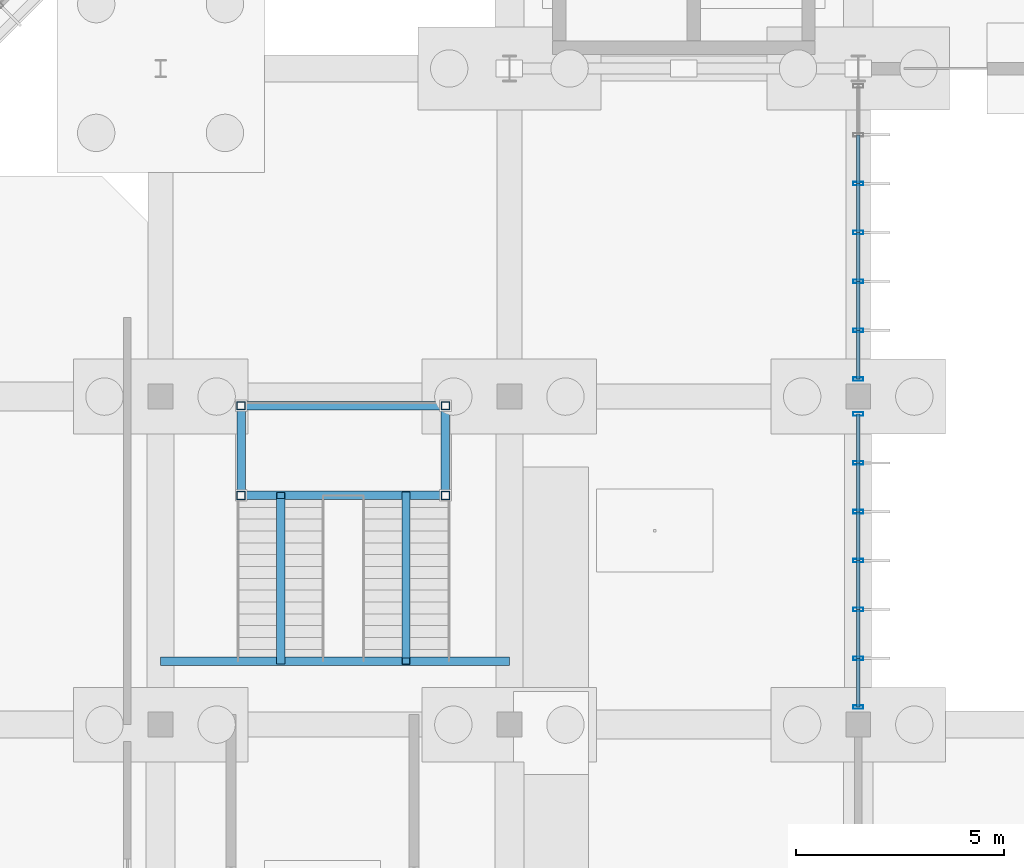
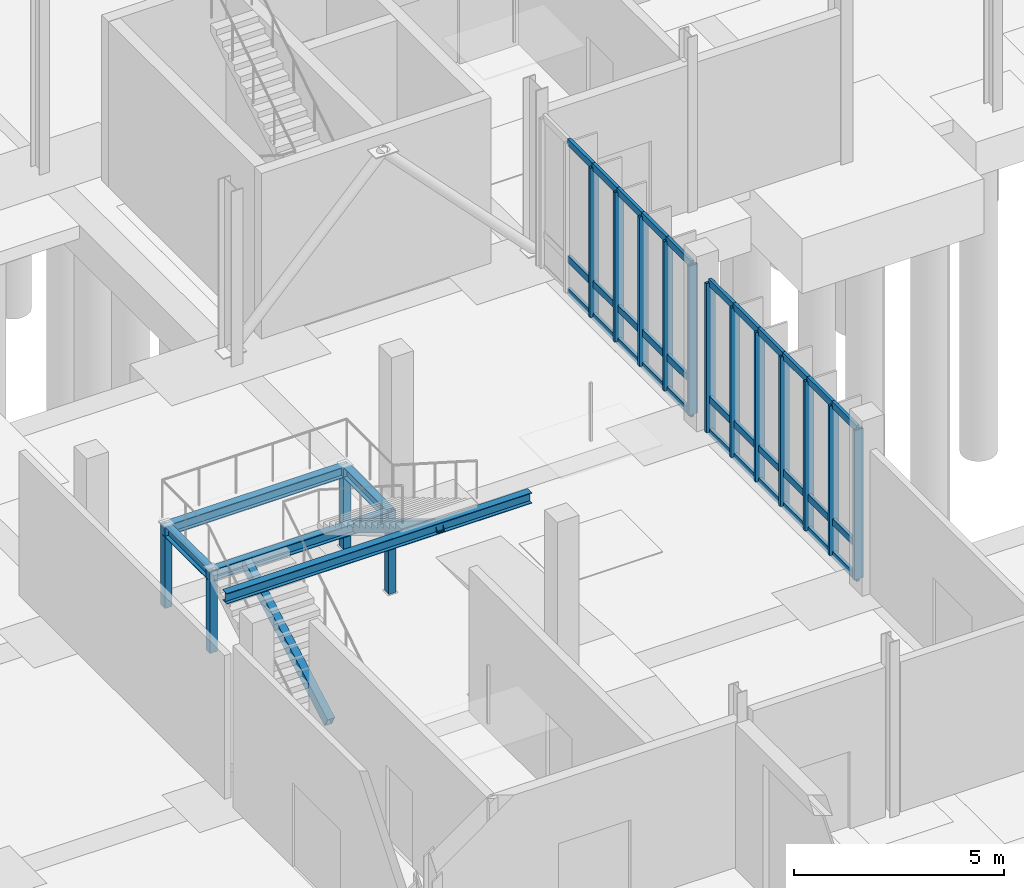
# One storey, part 36 of 119: 51 members, 5 beams, 2 elements without a shape of their own.
"""IFC4 building model written with IfcOpenShell, lengths in metres."""

import ifcopenshell
import ifcopenshell.guid

model = None  # the IFC model being written
_history = None  # IfcOwnerHistory: only IFC2X3 demands one
_inside = {}  # id of a spatial element -> (the spatial element, [elements in it])
_under = {}  # id of a project, library or spatial element -> (it, [spatial elements below it])
_declared = {}  # id of a project -> (the project, [libraries it declares])
_typed = {}  # id of a type object -> (the type object, [elements of that type])
_made_of = {}  # id of a material, layer set ... -> (it, [elements and type objects made of it])


def new_model(schema):
    """Start an empty IFC model of exactly this schema.

    Asked for "IFC4X3", IfcOpenShell would pick the latest addendum, in which some entities
    have other attributes; the version numbers below select the first issue.
    IFC2X3 requires an IfcOwnerHistory on every rooted entity: one is made here for all.
    """
    global model, _history
    if schema == "IFC4X3":
        model = ifcopenshell.file(schema_version=(4, 3, 0, 0))
    else:
        model = ifcopenshell.file(schema=schema)
    _inside.clear()
    _under.clear()
    _declared.clear()
    _typed.clear()
    _made_of.clear()
    _history = None
    if model.schema == "IFC2X3":
        org = make("IfcOrganization", Name="unknown")
        user = make(
            "IfcPersonAndOrganization",
            ThePerson=make("IfcPerson", FamilyName="unknown"),
            TheOrganization=org,
        )
        app = make(
            "IfcApplication",
            ApplicationDeveloper=org,
            Version="unknown",
            ApplicationFullName="unknown",
            ApplicationIdentifier="unknown",
        )
        _history = make(
            "IfcOwnerHistory",
            OwningUser=user,
            OwningApplication=app,
            ChangeAction="ADDED",
            CreationDate=0,
        )
    return model


def make(cls, **values):
    """One entity of the class cls with the attributes given. An attribute that is None is left unset."""
    return model.create_entity(
        cls, **{name: value for name, value in values.items() if value is not None}
    )


def rooted(cls, **values):
    """An entity with a GlobalId (a new one), such as an element, a storey or a relation."""
    return make(cls, GlobalId=ifcopenshell.guid.new(), OwnerHistory=_history, **values)


def si_unit(unit_type, name, prefix=None):
    """IfcSIUnit, for example si_unit("LENGTHUNIT", "METRE", prefix="MILLI")."""
    return make("IfcSIUnit", UnitType=unit_type, Prefix=prefix, Name=name)


def derived_unit(unit_type, elements):
    """IfcDerivedUnit: a product of units, each with its exponent."""
    return make(
        "IfcDerivedUnit",
        Elements=[
            make("IfcDerivedUnitElement", Unit=unit, Exponent=power)
            for unit, power in elements
        ],
        UnitType=unit_type,
    )


def assignment(units):
    """IfcUnitAssignment: the units of a project."""
    return None if units is None else make("IfcUnitAssignment", Units=units)


def point(xyz):
    """IfcCartesianPoint."""
    return None if xyz is None else make("IfcCartesianPoint", Coordinates=xyz)


def direction(xyz):
    """IfcDirection."""
    return None if xyz is None else make("IfcDirection", DirectionRatios=xyz)


def frame(location, z_axis=None, x_axis=None):
    """IfcAxis2Placement3D, a coordinate frame: its origin and axes. An axis left out is left unset."""
    return make(
        "IfcAxis2Placement3D",
        Location=point(location),
        Axis=direction(z_axis),
        RefDirection=direction(x_axis),
    )


def frame_2d(location, x_axis=None):
    """IfcAxis2Placement2D, a coordinate frame in the plane: its origin and x axis."""
    return make(
        "IfcAxis2Placement2D", Location=point(location), RefDirection=direction(x_axis)
    )


def origin():
    """The frame at (0, 0, 0) with its axes left unset."""
    return frame((0.0, 0.0, 0.0))


def origin_2d():
    """The frame at (0, 0) in the plane with its x axis left unset."""
    return frame_2d((0.0, 0.0))


def place(relative_to, where):
    """IfcLocalPlacement: puts the frame where relative to a parent placement (None: the world)."""
    return make(
        "IfcLocalPlacement", PlacementRelTo=relative_to, RelativePlacement=where
    )


def context(
    kind, dimensions, precision=None, world=None, true_north=None, identifier=None
):
    """IfcGeometricRepresentationContext, for example the 3D "Model" context."""
    return make(
        "IfcGeometricRepresentationContext",
        ContextIdentifier=identifier,
        ContextType=kind,
        CoordinateSpaceDimension=dimensions,
        Precision=precision,
        WorldCoordinateSystem=world,
        TrueNorth=true_north,
    )


def subcontext(parent, identifier, kind, view, scale=None):
    """IfcGeometricRepresentationSubContext, for example "Body" below "Model"."""
    return make(
        "IfcGeometricRepresentationSubContext",
        ContextIdentifier=identifier,
        ContextType=kind,
        ParentContext=parent,
        TargetScale=scale,
        TargetView=view,
    )


def project(units=None, contexts=None):
    """IfcProject with its units and contexts."""
    return rooted(
        "IfcProject",
        Name="project",
        RepresentationContexts=contexts,
        UnitsInContext=assignment(units),
    )


def spatial(cls, under=None, at=None, **own):
    """A site, building, storey or space (cls), placed at a placement, below another one or the project."""
    s = rooted(cls, ObjectPlacement=at, **own)
    if under is not None:
        _under.setdefault(under.id(), (under, []))[1].append(s)
    return s


def profile(cls, at=None, kind="AREA", **sizes):
    """A parametric profile (cls). Its sizes go by their IFC names, for example OverallWidth=200.0."""
    return make(cls, ProfileType=kind, Position=at, **sizes)


def hollow_rectangle(**sizes):
    """IfcRectangleHollowProfileDef."""
    return profile("IfcRectangleHollowProfileDef", **sizes)


def i_section(**sizes):
    """IfcIShapeProfileDef."""
    return profile("IfcIShapeProfileDef", **sizes)


def extrude(swept, where, along, depth):
    """IfcExtrudedAreaSolid: the profile swept, set in the frame where, extruded along a direction by depth."""
    return make(
        "IfcExtrudedAreaSolid",
        SweptArea=swept,
        Position=where,
        ExtrudedDirection=direction(along),
        Depth=depth,
    )


def shape(context_of_items, identifier, shape_type, items):
    """IfcShapeRepresentation: the items that make up one representation, for example the "Body"."""
    return make(
        "IfcShapeRepresentation",
        ContextOfItems=context_of_items,
        RepresentationIdentifier=identifier,
        RepresentationType=shape_type,
        Items=items,
    )


def material(Name=None, Category=None):
    """IfcMaterial."""
    return make("IfcMaterial", Name=Name, Category=Category)


def layer(
    of_material, thickness, ventilated=None, Name=None, Category=None, Priority=None
):
    """IfcMaterialLayer: one layer of a wall or slab, of a material (None: an air gap)."""
    return make(
        "IfcMaterialLayer",
        Material=of_material,
        LayerThickness=thickness,
        IsVentilated=ventilated,
        Name=Name,
        Category=Category,
        Priority=Priority,
    )


def layer_set(layers, Name=None):
    """IfcMaterialLayerSet."""
    return make("IfcMaterialLayerSet", MaterialLayers=layers, LayerSetName=Name)


def material_profile(
    of_material, cross_section, Name=None, Category=None, Priority=None
):
    """IfcMaterialProfile: a cross section and its material."""
    return make(
        "IfcMaterialProfile",
        Name=Name,
        Material=of_material,
        Profile=cross_section,
        Priority=Priority,
        Category=Category,
    )


def profile_set(profiles, Name=None, composite=None):
    """IfcMaterialProfileSet."""
    return make(
        "IfcMaterialProfileSet",
        Name=Name,
        MaterialProfiles=profiles,
        CompositeProfile=composite,
    )


def made_of(thing, what):
    """Note that an element or type object is made of a material, layer set ...; save() writes the relation."""
    if what is not None:
        _made_of.setdefault(what.id(), (what, []))[1].append(thing)
    return thing


def type_object(cls, material=None, **own):
    """A type object (cls), such as IfcWallType, which elements share."""
    return made_of(rooted(cls, **own), material)


def element(
    cls,
    number,
    at=None,
    inside=None,
    cuts=None,
    type_object=None,
    material=None,
    context=None,
    identifier="Body",
    shape_type=None,
    held_by="IfcProductDefinitionShape",
    body=None,
    shapes=None,
    **own,
):
    """One element of the class cls, such as IfcWall. Its Tag is "e" and its number.

    at: its placement. inside: the storey or other place that contains it. cuts: it is an
    opening in that element (IfcRelVoidsElement). A single representation is given by context,
    identifier, shape_type and body (its items); several are given by shapes. held_by: the class
    of the entity that holds the representations. save() writes the other relations.
    """
    e = rooted(cls, Tag="e%d" % number, ObjectPlacement=at, **own)
    if body is not None:
        shapes = [shape(context, identifier, shape_type, body)]
    if shapes is not None:
        e.Representation = make(held_by, Representations=shapes)
    if inside is not None:
        _inside.setdefault(inside.id(), (inside, []))[1].append(e)
    if cuts is not None:
        rooted(
            "IfcRelVoidsElement", RelatingBuildingElement=cuts, RelatedOpeningElement=e
        )
    if type_object is not None:
        _typed.setdefault(type_object.id(), (type_object, []))[1].append(e)
    return made_of(e, material)


def aggregate(whole, parts):
    """IfcRelAggregates: a whole, such as a stair, and the parts it consists of."""
    return rooted("IfcRelAggregates", RelatingObject=whole, RelatedObjects=parts)


def save(model, path):
    """Write the relations noted so far, then the file.

    IfcRelAggregates (storeys below a building ...), IfcRelContainedInSpatialStructure (elements
    in a storey), IfcRelDefinesByType, IfcRelAssociatesMaterial and IfcRelDeclares: one each for
    every whole, place, type object, material and project.
    """
    for whole, parts in _under.values():
        aggregate(whole, parts)
    for where, things in _inside.values():
        rooted(
            "IfcRelContainedInSpatialStructure",
            RelatedElements=things,
            RelatingStructure=where,
        )
    for kind, things in _typed.values():
        rooted("IfcRelDefinesByType", RelatedObjects=things, RelatingType=kind)
    for what, things in _made_of.values():
        rooted("IfcRelAssociatesMaterial", RelatedObjects=things, RelatingMaterial=what)
    for by, libraries in _declared.values():
        rooted("IfcRelDeclares", RelatingContext=by, RelatedDefinitions=libraries)
    model.write(path)


model = new_model("IFC4")

# Units and contexts
model_context = context("Model", 3, precision=1e-05, world=origin(), true_north=direction((0.0, 1.0)))
body_context = subcontext(model_context, "Body", "Model", "MODEL_VIEW")
ifc_project = project(units=[si_unit("LENGTHUNIT", "METRE"), si_unit("AREAUNIT", "SQUARE_METRE"), si_unit("VOLUMEUNIT", "CUBIC_METRE"), si_unit("PLANEANGLEUNIT", "RADIAN"), si_unit("MASSUNIT", "GRAM", prefix="KILO"), derived_unit("THERMALTRANSMITTANCEUNIT", [(si_unit("MASSUNIT", "GRAM", prefix="KILO"), 1), (si_unit("TIMEUNIT", "SECOND"), -3), (si_unit("THERMODYNAMICTEMPERATUREUNIT", "KELVIN"), -1)])], contexts=[model_context])

# Site, building, storey
site_placement = place(None, origin())
site = spatial("IfcSite", under=ifc_project, at=site_placement, CompositionType="ELEMENT")
building_placement = place(site_placement, origin())
building = spatial("IfcBuilding", under=site, at=building_placement, Name="Makaiwela Harbour Ferry Terminal", CompositionType="ELEMENT")
storey_placement = place(building_placement, origin())
storey = spatial("IfcBuildingStorey", under=building, at=storey_placement, Name="L00", CompositionType="ELEMENT", Elevation=0.0)

# Curtain wall, members
ifc_material_1 = material(Name="Marine anodised aluminium 6063-T6", Category="aluminium")
ifc_layer = layer(ifc_material_1, 0.199951171875)
ifc_layer_set = layer_set([ifc_layer], Name="Marine anodised aluminium 6063-T6")
curtain_wall_type = type_object("IfcCurtainWallType", Name="ENV-CW-12", PredefinedType="USERDEFINED", material=ifc_layer_set)
curtain_wall_1_placement = place(storey_placement, origin())
curtain_wall_1 = element("IfcCurtainWall", 1, at=curtain_wall_1_placement, inside=storey, type_object=curtain_wall_type, Name="Unitised Curtain Wall CWA-108", ObjectType="UNITIZED CURTAIN WALL", PredefinedType="USERDEFINED")
ifc_material_profile_1 = material_profile(ifc_material_1, hollow_rectangle(XDim=0.0849609375, YDim=0.25, WallThickness=0.0048828125, at=origin_2d()), Name="CWM-250X85")
ifc_profile_set_1 = profile_set([ifc_material_profile_1], Name="Marine anodised aluminium 6063-T6")
member_type_1 = type_object("IfcMemberType", Name="CW-MUL-250", PredefinedType="MULLION", material=ifc_profile_set_1)
member_1_placement = place(storey_placement, frame((71.39990234375, 41.080078125, 0.0), z_axis=(0.0, 0.0, 1.0), x_axis=(0.0, 1.0, 0.0)))
member_1 = element("IfcMember", 2, at=member_1_placement, type_object=member_type_1, Name="Curtain Wall Mullion CWA-108-1", PredefinedType="MULLION", context=body_context, shape_type="SweptSolid", body=[
    extrude(hollow_rectangle(XDim=0.0849609375, YDim=0.25, WallThickness=0.0048828125, at=origin_2d()), origin(), (0.0, 0.0, 1.0), 4.35009765625),
])
member_2_placement = place(storey_placement, frame((71.39990234375, 39.9033203125, 0.0), z_axis=(0.0, 0.0, 1.0), x_axis=(0.0, 1.0, 0.0)))
member_2 = element("IfcMember", 3, at=member_2_placement, type_object=member_type_1, Name="Curtain Wall Mullion CWA-108-2", PredefinedType="MULLION", context=body_context, shape_type="SweptSolid", body=[
    extrude(hollow_rectangle(XDim=0.0849609375, YDim=0.25, WallThickness=0.0048828125, at=origin_2d()), origin(), (0.0, 0.0, 1.0), 4.35009765625),
])
member_3_placement = place(storey_placement, frame((71.39990234375, 38.726806640625, 0.0), z_axis=(0.0, 0.0, 1.0), x_axis=(0.0, 1.0, 0.0)))
member_3 = element("IfcMember", 4, at=member_3_placement, type_object=member_type_1, Name="Curtain Wall Mullion CWA-108-3", PredefinedType="MULLION", context=body_context, shape_type="SweptSolid", body=[
    extrude(hollow_rectangle(XDim=0.0849609375, YDim=0.25, WallThickness=0.0048828125, at=origin_2d()), origin(), (0.0, 0.0, 1.0), 4.35009765625),
])
member_4_placement = place(storey_placement, frame((71.39990234375, 37.550048828125, 0.0), z_axis=(0.0, 0.0, 1.0), x_axis=(0.0, 1.0, 0.0)))
member_4 = element("IfcMember", 5, at=member_4_placement, type_object=member_type_1, Name="Curtain Wall Mullion CWA-108-4", PredefinedType="MULLION", context=body_context, shape_type="SweptSolid", body=[
    extrude(hollow_rectangle(XDim=0.0849609375, YDim=0.25, WallThickness=0.0048828125, at=origin_2d()), origin(), (0.0, 0.0, 1.0), 4.35009765625),
])
member_5_placement = place(storey_placement, frame((71.39990234375, 36.373291015625, 0.0), z_axis=(0.0, 0.0, 1.0), x_axis=(0.0, 1.0, 0.0)))
member_5 = element("IfcMember", 6, at=member_5_placement, type_object=member_type_1, Name="Curtain Wall Mullion CWA-108-5", PredefinedType="MULLION", context=body_context, shape_type="SweptSolid", body=[
    extrude(hollow_rectangle(XDim=0.0849609375, YDim=0.25, WallThickness=0.0048828125, at=origin_2d()), origin(), (0.0, 0.0, 1.0), 4.35009765625),
])
member_6_placement = place(storey_placement, frame((71.39990234375, 35.19677734375, 0.0), z_axis=(0.0, 0.0, 1.0), x_axis=(0.0, 1.0, 0.0)))
member_6 = element("IfcMember", 7, at=member_6_placement, type_object=member_type_1, Name="Curtain Wall Mullion CWA-108-6", PredefinedType="MULLION", context=body_context, shape_type="SweptSolid", body=[
    extrude(hollow_rectangle(XDim=0.0849609375, YDim=0.25, WallThickness=0.0048828125, at=origin_2d()), origin(), (0.0, 0.0, 1.0), 4.35009765625),
])
member_7_placement = place(storey_placement, frame((71.39990234375, 34.02001953125, 0.0), z_axis=(0.0, 0.0, 1.0), x_axis=(0.0, 1.0, 0.0)))
member_7 = element("IfcMember", 8, at=member_7_placement, type_object=member_type_1, Name="Curtain Wall Mullion CWA-108-7", PredefinedType="MULLION", context=body_context, shape_type="SweptSolid", body=[
    extrude(hollow_rectangle(XDim=0.0849609375, YDim=0.25, WallThickness=0.0048828125, at=origin_2d()), origin(), (0.0, 0.0, 1.0), 4.35009765625),
])

curtain_wall_2_placement = place(storey_placement, origin())
curtain_wall_2 = element("IfcCurtainWall", 9, at=curtain_wall_2_placement, inside=storey, type_object=curtain_wall_type, Name="Unitised Curtain Wall CWA-111", ObjectType="UNITIZED CURTAIN WALL", PredefinedType="USERDEFINED")
member_8_placement = place(storey_placement, frame((71.39990234375, 46.626708984375, 0.0), z_axis=(0.0, 0.0, 1.0), x_axis=(0.0, 1.0, 0.0)))
member_8 = element("IfcMember", 10, at=member_8_placement, type_object=member_type_1, Name="Curtain Wall Mullion CWA-111-3", PredefinedType="MULLION", context=body_context, shape_type="SweptSolid", body=[
    extrude(hollow_rectangle(XDim=0.0849609375, YDim=0.25, WallThickness=0.0048828125, at=origin_2d()), origin(), (0.0, 0.0, 1.0), 4.35009765625),
])
member_9_placement = place(storey_placement, frame((71.39990234375, 45.449951171875, 0.0), z_axis=(0.0, 0.0, 1.0), x_axis=(0.0, 1.0, 0.0)))
member_9 = element("IfcMember", 11, at=member_9_placement, type_object=member_type_1, Name="Curtain Wall Mullion CWA-111-4", PredefinedType="MULLION", context=body_context, shape_type="SweptSolid", body=[
    extrude(hollow_rectangle(XDim=0.0849609375, YDim=0.25, WallThickness=0.0048828125, at=origin_2d()), origin(), (0.0, 0.0, 1.0), 4.35009765625),
])
member_10_placement = place(storey_placement, frame((71.39990234375, 44.273193359375, 0.0), z_axis=(0.0, 0.0, 1.0), x_axis=(0.0, 1.0, 0.0)))
member_10 = element("IfcMember", 12, at=member_10_placement, type_object=member_type_1, Name="Curtain Wall Mullion CWA-111-5", PredefinedType="MULLION", context=body_context, shape_type="SweptSolid", body=[
    extrude(hollow_rectangle(XDim=0.0849609375, YDim=0.25, WallThickness=0.0048828125, at=origin_2d()), origin(), (0.0, 0.0, 1.0), 4.35009765625),
])
member_11_placement = place(storey_placement, frame((71.39990234375, 43.0966796875, 0.0), z_axis=(0.0, 0.0, 1.0), x_axis=(0.0, 1.0, 0.0)))
member_11 = element("IfcMember", 13, at=member_11_placement, type_object=member_type_1, Name="Curtain Wall Mullion CWA-111-6", PredefinedType="MULLION", context=body_context, shape_type="SweptSolid", body=[
    extrude(hollow_rectangle(XDim=0.0849609375, YDim=0.25, WallThickness=0.0048828125, at=origin_2d()), origin(), (0.0, 0.0, 1.0), 4.35009765625),
])
member_12_placement = place(storey_placement, frame((71.39990234375, 41.919921875, 0.0), z_axis=(0.0, 0.0, 1.0), x_axis=(0.0, 1.0, 0.0)))
member_12 = element("IfcMember", 14, at=member_12_placement, type_object=member_type_1, Name="Curtain Wall Mullion CWA-111-7", PredefinedType="MULLION", context=body_context, shape_type="SweptSolid", body=[
    extrude(hollow_rectangle(XDim=0.0849609375, YDim=0.25, WallThickness=0.0048828125, at=origin_2d()), origin(), (0.0, 0.0, 1.0), 4.35009765625),
])

# Member
ifc_material_profile_2 = material_profile(ifc_material_1, hollow_rectangle(XDim=0.0849609375, YDim=0.199951171875, WallThickness=0.0048828125, at=origin_2d()), Name="CWT-200X85")
ifc_profile_set_2 = profile_set([ifc_material_profile_2], Name="Marine anodised aluminium 6063-T6")
member_type_2 = type_object("IfcMemberType", Name="CW-TRN-200", PredefinedType="USERDEFINED", material=ifc_profile_set_2)
member_13_placement = place(storey_placement, frame((71.39990234375, 41.080078125, 0.0), z_axis=(0.0, -1.0, 0.0), x_axis=(1.0, 0.0, 0.0)))
member_13 = element("IfcMember", 15, at=member_13_placement, type_object=member_type_2, Name="Curtain Wall Transom CWA-108-1-1", ObjectType="TRANSOM", PredefinedType="USERDEFINED", context=body_context, shape_type="SweptSolid", body=[
    extrude(hollow_rectangle(XDim=0.0849609375, YDim=0.199951171875, WallThickness=0.0048828125, at=origin_2d()), origin(), (0.0, 0.0, 1.0), 1.1767578125),
])

member_14_placement = place(storey_placement, frame((71.39990234375, 41.080078125, 0.949951171875), z_axis=(0.0, -1.0, 0.0), x_axis=(1.0, 0.0, 0.0)))
member_14 = element("IfcMember", 16, at=member_14_placement, type_object=member_type_2, Name="Curtain Wall Transom CWA-108-1-2", ObjectType="TRANSOM", PredefinedType="USERDEFINED", context=body_context, shape_type="SweptSolid", body=[
    extrude(hollow_rectangle(XDim=0.0849609375, YDim=0.199951171875, WallThickness=0.0048828125, at=origin_2d()), origin(), (0.0, 0.0, 1.0), 1.1767578125),
])

member_15_placement = place(storey_placement, frame((71.39990234375, 41.080078125, 4.35009765625), z_axis=(0.0, -1.0, 0.0), x_axis=(1.0, 0.0, 0.0)))
member_15 = element("IfcMember", 17, at=member_15_placement, type_object=member_type_2, Name="Curtain Wall Transom CWA-108-1-3", ObjectType="TRANSOM", PredefinedType="USERDEFINED", context=body_context, shape_type="SweptSolid", body=[
    extrude(hollow_rectangle(XDim=0.0849609375, YDim=0.199951171875, WallThickness=0.0048828125, at=origin_2d()), origin(), (0.0, 0.0, 1.0), 1.1767578125),
])

member_16_placement = place(storey_placement, frame((71.39990234375, 39.9033203125, 0.0), z_axis=(0.0, -1.0, 0.0), x_axis=(1.0, 0.0, 0.0)))
member_16 = element("IfcMember", 18, at=member_16_placement, type_object=member_type_2, Name="Curtain Wall Transom CWA-108-2-1", ObjectType="TRANSOM", PredefinedType="USERDEFINED", context=body_context, shape_type="SweptSolid", body=[
    extrude(hollow_rectangle(XDim=0.0849609375, YDim=0.199951171875, WallThickness=0.0048828125, at=origin_2d()), origin(), (0.0, 0.0, 1.0), 1.176513671875),
])

member_17_placement = place(storey_placement, frame((71.39990234375, 39.9033203125, 0.949951171875), z_axis=(0.0, -1.0, 0.0), x_axis=(1.0, 0.0, 0.0)))
member_17 = element("IfcMember", 19, at=member_17_placement, type_object=member_type_2, Name="Curtain Wall Transom CWA-108-2-2", ObjectType="TRANSOM", PredefinedType="USERDEFINED", context=body_context, shape_type="SweptSolid", body=[
    extrude(hollow_rectangle(XDim=0.0849609375, YDim=0.199951171875, WallThickness=0.0048828125, at=origin_2d()), origin(), (0.0, 0.0, 1.0), 1.176513671875),
])

member_18_placement = place(storey_placement, frame((71.39990234375, 39.9033203125, 4.35009765625), z_axis=(0.0, -1.0, 0.0), x_axis=(1.0, 0.0, 0.0)))
member_18 = element("IfcMember", 20, at=member_18_placement, type_object=member_type_2, Name="Curtain Wall Transom CWA-108-2-3", ObjectType="TRANSOM", PredefinedType="USERDEFINED", context=body_context, shape_type="SweptSolid", body=[
    extrude(hollow_rectangle(XDim=0.0849609375, YDim=0.199951171875, WallThickness=0.0048828125, at=origin_2d()), origin(), (0.0, 0.0, 1.0), 1.176513671875),
])

member_19_placement = place(storey_placement, frame((71.39990234375, 38.726806640625, 0.0), z_axis=(0.0, -1.0, 0.0), x_axis=(1.0, 0.0, 0.0)))
member_19 = element("IfcMember", 21, at=member_19_placement, type_object=member_type_2, Name="Curtain Wall Transom CWA-108-3-1", ObjectType="TRANSOM", PredefinedType="USERDEFINED", context=body_context, shape_type="SweptSolid", body=[
    extrude(hollow_rectangle(XDim=0.0849609375, YDim=0.199951171875, WallThickness=0.0048828125, at=origin_2d()), origin(), (0.0, 0.0, 1.0), 1.1767578125),
])

member_20_placement = place(storey_placement, frame((71.39990234375, 38.726806640625, 0.949951171875), z_axis=(0.0, -1.0, 0.0), x_axis=(1.0, 0.0, 0.0)))
member_20 = element("IfcMember", 22, at=member_20_placement, type_object=member_type_2, Name="Curtain Wall Transom CWA-108-3-2", ObjectType="TRANSOM", PredefinedType="USERDEFINED", context=body_context, shape_type="SweptSolid", body=[
    extrude(hollow_rectangle(XDim=0.0849609375, YDim=0.199951171875, WallThickness=0.0048828125, at=origin_2d()), origin(), (0.0, 0.0, 1.0), 1.1767578125),
])

member_21_placement = place(storey_placement, frame((71.39990234375, 38.726806640625, 4.35009765625), z_axis=(0.0, -1.0, 0.0), x_axis=(1.0, 0.0, 0.0)))
member_21 = element("IfcMember", 23, at=member_21_placement, type_object=member_type_2, Name="Curtain Wall Transom CWA-108-3-3", ObjectType="TRANSOM", PredefinedType="USERDEFINED", context=body_context, shape_type="SweptSolid", body=[
    extrude(hollow_rectangle(XDim=0.0849609375, YDim=0.199951171875, WallThickness=0.0048828125, at=origin_2d()), origin(), (0.0, 0.0, 1.0), 1.1767578125),
])

member_22_placement = place(storey_placement, frame((71.39990234375, 37.550048828125, 0.0), z_axis=(0.0, -1.0, 0.0), x_axis=(1.0, 0.0, 0.0)))
member_22 = element("IfcMember", 24, at=member_22_placement, type_object=member_type_2, Name="Curtain Wall Transom CWA-108-4-1", ObjectType="TRANSOM", PredefinedType="USERDEFINED", context=body_context, shape_type="SweptSolid", body=[
    extrude(hollow_rectangle(XDim=0.0849609375, YDim=0.199951171875, WallThickness=0.0048828125, at=origin_2d()), origin(), (0.0, 0.0, 1.0), 1.1767578125),
])

member_23_placement = place(storey_placement, frame((71.39990234375, 37.550048828125, 0.949951171875), z_axis=(0.0, -1.0, 0.0), x_axis=(1.0, 0.0, 0.0)))
member_23 = element("IfcMember", 25, at=member_23_placement, type_object=member_type_2, Name="Curtain Wall Transom CWA-108-4-2", ObjectType="TRANSOM", PredefinedType="USERDEFINED", context=body_context, shape_type="SweptSolid", body=[
    extrude(hollow_rectangle(XDim=0.0849609375, YDim=0.199951171875, WallThickness=0.0048828125, at=origin_2d()), origin(), (0.0, 0.0, 1.0), 1.1767578125),
])

member_24_placement = place(storey_placement, frame((71.39990234375, 37.550048828125, 4.35009765625), z_axis=(0.0, -1.0, 0.0), x_axis=(1.0, 0.0, 0.0)))
member_24 = element("IfcMember", 26, at=member_24_placement, type_object=member_type_2, Name="Curtain Wall Transom CWA-108-4-3", ObjectType="TRANSOM", PredefinedType="USERDEFINED", context=body_context, shape_type="SweptSolid", body=[
    extrude(hollow_rectangle(XDim=0.0849609375, YDim=0.199951171875, WallThickness=0.0048828125, at=origin_2d()), origin(), (0.0, 0.0, 1.0), 1.1767578125),
])

member_25_placement = place(storey_placement, frame((71.39990234375, 36.373291015625, 0.0), z_axis=(0.0, -1.0, 0.0), x_axis=(1.0, 0.0, 0.0)))
member_25 = element("IfcMember", 27, at=member_25_placement, type_object=member_type_2, Name="Curtain Wall Transom CWA-108-5-1", ObjectType="TRANSOM", PredefinedType="USERDEFINED", context=body_context, shape_type="SweptSolid", body=[
    extrude(hollow_rectangle(XDim=0.0849609375, YDim=0.199951171875, WallThickness=0.0048828125, at=origin_2d()), origin(), (0.0, 0.0, 1.0), 1.176513671875),
])

member_26_placement = place(storey_placement, frame((71.39990234375, 36.373291015625, 0.949951171875), z_axis=(0.0, -1.0, 0.0), x_axis=(1.0, 0.0, 0.0)))
member_26 = element("IfcMember", 28, at=member_26_placement, type_object=member_type_2, Name="Curtain Wall Transom CWA-108-5-2", ObjectType="TRANSOM", PredefinedType="USERDEFINED", context=body_context, shape_type="SweptSolid", body=[
    extrude(hollow_rectangle(XDim=0.0849609375, YDim=0.199951171875, WallThickness=0.0048828125, at=origin_2d()), origin(), (0.0, 0.0, 1.0), 1.176513671875),
])

member_27_placement = place(storey_placement, frame((71.39990234375, 36.373291015625, 4.35009765625), z_axis=(0.0, -1.0, 0.0), x_axis=(1.0, 0.0, 0.0)))
member_27 = element("IfcMember", 29, at=member_27_placement, type_object=member_type_2, Name="Curtain Wall Transom CWA-108-5-3", ObjectType="TRANSOM", PredefinedType="USERDEFINED", context=body_context, shape_type="SweptSolid", body=[
    extrude(hollow_rectangle(XDim=0.0849609375, YDim=0.199951171875, WallThickness=0.0048828125, at=origin_2d()), origin(), (0.0, 0.0, 1.0), 1.176513671875),
])

member_28_placement = place(storey_placement, frame((71.39990234375, 35.19677734375, 0.0), z_axis=(0.0, -1.0, 0.0), x_axis=(1.0, 0.0, 0.0)))
member_28 = element("IfcMember", 30, at=member_28_placement, type_object=member_type_2, Name="Curtain Wall Transom CWA-108-6-1", ObjectType="TRANSOM", PredefinedType="USERDEFINED", context=body_context, shape_type="SweptSolid", body=[
    extrude(hollow_rectangle(XDim=0.0849609375, YDim=0.199951171875, WallThickness=0.0048828125, at=origin_2d()), origin(), (0.0, 0.0, 1.0), 1.1767578125),
])

member_29_placement = place(storey_placement, frame((71.39990234375, 35.19677734375, 0.949951171875), z_axis=(0.0, -1.0, 0.0), x_axis=(1.0, 0.0, 0.0)))
member_29 = element("IfcMember", 31, at=member_29_placement, type_object=member_type_2, Name="Curtain Wall Transom CWA-108-6-2", ObjectType="TRANSOM", PredefinedType="USERDEFINED", context=body_context, shape_type="SweptSolid", body=[
    extrude(hollow_rectangle(XDim=0.0849609375, YDim=0.199951171875, WallThickness=0.0048828125, at=origin_2d()), origin(), (0.0, 0.0, 1.0), 1.1767578125),
])

member_30_placement = place(storey_placement, frame((71.39990234375, 35.19677734375, 4.35009765625), z_axis=(0.0, -1.0, 0.0), x_axis=(1.0, 0.0, 0.0)))
member_30 = element("IfcMember", 32, at=member_30_placement, type_object=member_type_2, Name="Curtain Wall Transom CWA-108-6-3", ObjectType="TRANSOM", PredefinedType="USERDEFINED", context=body_context, shape_type="SweptSolid", body=[
    extrude(hollow_rectangle(XDim=0.0849609375, YDim=0.199951171875, WallThickness=0.0048828125, at=origin_2d()), origin(), (0.0, 0.0, 1.0), 1.1767578125),
])

aggregate(curtain_wall_1, [member_1, member_2, member_3, member_4, member_5, member_6, member_7, member_13, member_14, member_15, member_16, member_17, member_18, member_19, member_20, member_21, member_22, member_23, member_24, member_25, member_26, member_27, member_28, member_29, member_30])

member_31_placement = place(storey_placement, frame((71.39990234375, 47.80322265625, 0.0), z_axis=(0.0, -1.0, 0.0), x_axis=(1.0, 0.0, 0.0)))
member_31 = element("IfcMember", 33, at=member_31_placement, type_object=member_type_2, Name="Curtain Wall Transom CWA-111-2-1", ObjectType="TRANSOM", PredefinedType="USERDEFINED", context=body_context, shape_type="SweptSolid", body=[
    extrude(hollow_rectangle(XDim=0.0849609375, YDim=0.199951171875, WallThickness=0.0048828125, at=origin_2d()), origin(), (0.0, 0.0, 1.0), 1.176513671875),
])

member_32_placement = place(storey_placement, frame((71.39990234375, 47.80322265625, 0.949951171875), z_axis=(0.0, -1.0, 0.0), x_axis=(1.0, 0.0, 0.0)))
member_32 = element("IfcMember", 34, at=member_32_placement, type_object=member_type_2, Name="Curtain Wall Transom CWA-111-2-2", ObjectType="TRANSOM", PredefinedType="USERDEFINED", context=body_context, shape_type="SweptSolid", body=[
    extrude(hollow_rectangle(XDim=0.0849609375, YDim=0.199951171875, WallThickness=0.0048828125, at=origin_2d()), origin(), (0.0, 0.0, 1.0), 1.176513671875),
])

member_33_placement = place(storey_placement, frame((71.39990234375, 47.80322265625, 4.35009765625), z_axis=(0.0, -1.0, 0.0), x_axis=(1.0, 0.0, 0.0)))
member_33 = element("IfcMember", 35, at=member_33_placement, type_object=member_type_2, Name="Curtain Wall Transom CWA-111-2-3", ObjectType="TRANSOM", PredefinedType="USERDEFINED", context=body_context, shape_type="SweptSolid", body=[
    extrude(hollow_rectangle(XDim=0.0849609375, YDim=0.199951171875, WallThickness=0.0048828125, at=origin_2d()), origin(), (0.0, 0.0, 1.0), 1.176513671875),
])

member_34_placement = place(storey_placement, frame((71.39990234375, 46.626708984375, 0.0), z_axis=(0.0, -1.0, 0.0), x_axis=(1.0, 0.0, 0.0)))
member_34 = element("IfcMember", 36, at=member_34_placement, type_object=member_type_2, Name="Curtain Wall Transom CWA-111-3-1", ObjectType="TRANSOM", PredefinedType="USERDEFINED", context=body_context, shape_type="SweptSolid", body=[
    extrude(hollow_rectangle(XDim=0.0849609375, YDim=0.199951171875, WallThickness=0.0048828125, at=origin_2d()), origin(), (0.0, 0.0, 1.0), 1.1767578125),
])

member_35_placement = place(storey_placement, frame((71.39990234375, 46.626708984375, 0.949951171875), z_axis=(0.0, -1.0, 0.0), x_axis=(1.0, 0.0, 0.0)))
member_35 = element("IfcMember", 37, at=member_35_placement, type_object=member_type_2, Name="Curtain Wall Transom CWA-111-3-2", ObjectType="TRANSOM", PredefinedType="USERDEFINED", context=body_context, shape_type="SweptSolid", body=[
    extrude(hollow_rectangle(XDim=0.0849609375, YDim=0.199951171875, WallThickness=0.0048828125, at=origin_2d()), origin(), (0.0, 0.0, 1.0), 1.1767578125),
])

member_36_placement = place(storey_placement, frame((71.39990234375, 46.626708984375, 4.35009765625), z_axis=(0.0, -1.0, 0.0), x_axis=(1.0, 0.0, 0.0)))
member_36 = element("IfcMember", 38, at=member_36_placement, type_object=member_type_2, Name="Curtain Wall Transom CWA-111-3-3", ObjectType="TRANSOM", PredefinedType="USERDEFINED", context=body_context, shape_type="SweptSolid", body=[
    extrude(hollow_rectangle(XDim=0.0849609375, YDim=0.199951171875, WallThickness=0.0048828125, at=origin_2d()), origin(), (0.0, 0.0, 1.0), 1.1767578125),
])

member_37_placement = place(storey_placement, frame((71.39990234375, 45.449951171875, 0.0), z_axis=(0.0, -1.0, 0.0), x_axis=(1.0, 0.0, 0.0)))
member_37 = element("IfcMember", 39, at=member_37_placement, type_object=member_type_2, Name="Curtain Wall Transom CWA-111-4-1", ObjectType="TRANSOM", PredefinedType="USERDEFINED", context=body_context, shape_type="SweptSolid", body=[
    extrude(hollow_rectangle(XDim=0.0849609375, YDim=0.199951171875, WallThickness=0.0048828125, at=origin_2d()), origin(), (0.0, 0.0, 1.0), 1.1767578125),
])

member_38_placement = place(storey_placement, frame((71.39990234375, 45.449951171875, 0.949951171875), z_axis=(0.0, -1.0, 0.0), x_axis=(1.0, 0.0, 0.0)))
member_38 = element("IfcMember", 40, at=member_38_placement, type_object=member_type_2, Name="Curtain Wall Transom CWA-111-4-2", ObjectType="TRANSOM", PredefinedType="USERDEFINED", context=body_context, shape_type="SweptSolid", body=[
    extrude(hollow_rectangle(XDim=0.0849609375, YDim=0.199951171875, WallThickness=0.0048828125, at=origin_2d()), origin(), (0.0, 0.0, 1.0), 1.1767578125),
])

member_39_placement = place(storey_placement, frame((71.39990234375, 45.449951171875, 4.35009765625), z_axis=(0.0, -1.0, 0.0), x_axis=(1.0, 0.0, 0.0)))
member_39 = element("IfcMember", 41, at=member_39_placement, type_object=member_type_2, Name="Curtain Wall Transom CWA-111-4-3", ObjectType="TRANSOM", PredefinedType="USERDEFINED", context=body_context, shape_type="SweptSolid", body=[
    extrude(hollow_rectangle(XDim=0.0849609375, YDim=0.199951171875, WallThickness=0.0048828125, at=origin_2d()), origin(), (0.0, 0.0, 1.0), 1.1767578125),
])

member_40_placement = place(storey_placement, frame((71.39990234375, 44.273193359375, 0.0), z_axis=(0.0, -1.0, 0.0), x_axis=(1.0, 0.0, 0.0)))
member_40 = element("IfcMember", 42, at=member_40_placement, type_object=member_type_2, Name="Curtain Wall Transom CWA-111-5-1", ObjectType="TRANSOM", PredefinedType="USERDEFINED", context=body_context, shape_type="SweptSolid", body=[
    extrude(hollow_rectangle(XDim=0.0849609375, YDim=0.199951171875, WallThickness=0.0048828125, at=origin_2d()), origin(), (0.0, 0.0, 1.0), 1.176513671875),
])

member_41_placement = place(storey_placement, frame((71.39990234375, 44.273193359375, 0.949951171875), z_axis=(0.0, -1.0, 0.0), x_axis=(1.0, 0.0, 0.0)))
member_41 = element("IfcMember", 43, at=member_41_placement, type_object=member_type_2, Name="Curtain Wall Transom CWA-111-5-2", ObjectType="TRANSOM", PredefinedType="USERDEFINED", context=body_context, shape_type="SweptSolid", body=[
    extrude(hollow_rectangle(XDim=0.0849609375, YDim=0.199951171875, WallThickness=0.0048828125, at=origin_2d()), origin(), (0.0, 0.0, 1.0), 1.176513671875),
])

member_42_placement = place(storey_placement, frame((71.39990234375, 44.273193359375, 4.35009765625), z_axis=(0.0, -1.0, 0.0), x_axis=(1.0, 0.0, 0.0)))
member_42 = element("IfcMember", 44, at=member_42_placement, type_object=member_type_2, Name="Curtain Wall Transom CWA-111-5-3", ObjectType="TRANSOM", PredefinedType="USERDEFINED", context=body_context, shape_type="SweptSolid", body=[
    extrude(hollow_rectangle(XDim=0.0849609375, YDim=0.199951171875, WallThickness=0.0048828125, at=origin_2d()), origin(), (0.0, 0.0, 1.0), 1.176513671875),
])

member_43_placement = place(storey_placement, frame((71.39990234375, 43.0966796875, 0.0), z_axis=(0.0, -1.0, 0.0), x_axis=(1.0, 0.0, 0.0)))
member_43 = element("IfcMember", 45, at=member_43_placement, type_object=member_type_2, Name="Curtain Wall Transom CWA-111-6-1", ObjectType="TRANSOM", PredefinedType="USERDEFINED", context=body_context, shape_type="SweptSolid", body=[
    extrude(hollow_rectangle(XDim=0.0849609375, YDim=0.199951171875, WallThickness=0.0048828125, at=origin_2d()), origin(), (0.0, 0.0, 1.0), 1.1767578125),
])

member_44_placement = place(storey_placement, frame((71.39990234375, 43.0966796875, 0.949951171875), z_axis=(0.0, -1.0, 0.0), x_axis=(1.0, 0.0, 0.0)))
member_44 = element("IfcMember", 46, at=member_44_placement, type_object=member_type_2, Name="Curtain Wall Transom CWA-111-6-2", ObjectType="TRANSOM", PredefinedType="USERDEFINED", context=body_context, shape_type="SweptSolid", body=[
    extrude(hollow_rectangle(XDim=0.0849609375, YDim=0.199951171875, WallThickness=0.0048828125, at=origin_2d()), origin(), (0.0, 0.0, 1.0), 1.1767578125),
])

member_45_placement = place(storey_placement, frame((71.39990234375, 43.0966796875, 4.35009765625), z_axis=(0.0, -1.0, 0.0), x_axis=(1.0, 0.0, 0.0)))
member_45 = element("IfcMember", 47, at=member_45_placement, type_object=member_type_2, Name="Curtain Wall Transom CWA-111-6-3", ObjectType="TRANSOM", PredefinedType="USERDEFINED", context=body_context, shape_type="SweptSolid", body=[
    extrude(hollow_rectangle(XDim=0.0849609375, YDim=0.199951171875, WallThickness=0.0048828125, at=origin_2d()), origin(), (0.0, 0.0, 1.0), 1.1767578125),
])

aggregate(curtain_wall_2, [member_8, member_9, member_10, member_11, member_12, member_31, member_32, member_33, member_34, member_35, member_36, member_37, member_38, member_39, member_40, member_41, member_42, member_43, member_44, member_45])

# Beams
ifc_material_2 = material(Name="Steel ASTM A992 Grade 50", Category="steel")
ifc_material_profile_3 = material_profile(ifc_material_2, i_section(OverallWidth=0.205078125, OverallDepth=0.31005859375, WebThickness=0.009521484375, FlangeThickness=0.016357421875, at=origin_2d()), Name="W12X50")
ifc_profile_set_3 = profile_set([ifc_material_profile_3], Name="Steel ASTM A992 Grade 50")
beam_type = type_object("IfcBeamType", Name="STR-LNT-W12X50", PredefinedType="LINTEL", material=ifc_profile_set_3)
for number, where, z_axis, x_axis, name in (
    (48, (56.5400390625, 39.1201171875, 2.2451171875), (1.0, 0.0, 0.0), (0.0, 1.0, 0.0), "Stair Landing Beam ST-10-L00-1"),
    (49, (56.5400390625, 41.280029296875, 2.2451171875), (1.0, 0.0, 0.0), (0.0, 1.0, 0.0), "Stair Landing Beam ST-10-L00-2"),
):
    element("IfcBeam", number, at=place(storey_placement, frame(where, z_axis=z_axis, x_axis=x_axis)), inside=storey, type_object=beam_type, Name=name, PredefinedType="LINTEL", context=body_context, shape_type="SweptSolid", body=[
        extrude(i_section(OverallWidth=0.205078125, OverallDepth=0.31005859375, WebThickness=0.009521484375, FlangeThickness=0.016357421875, at=origin_2d()), origin(), (0.0, 0.0, 1.0), 4.919921875),
    ])
for number, where, z_axis, x_axis, name in (
    (50, (56.5400390625, 39.1201171875, 2.2451171875), (0.0, 1.0, 0.0), (-1.0, 0.0, 0.0), "Stair Landing Side Beam ST-10-L00-L"),
    (51, (61.4599609375, 39.1201171875, 2.2451171875), (0.0, 1.0, 0.0), (-1.0, 0.0, 0.0), "Stair Landing Side Beam ST-10-L00-R"),
):
    element("IfcBeam", number, at=place(storey_placement, frame(where, z_axis=z_axis, x_axis=x_axis)), inside=storey, type_object=beam_type, Name=name, PredefinedType="LINTEL", context=body_context, shape_type="SweptSolid", body=[
        extrude(i_section(OverallWidth=0.205078125, OverallDepth=0.31005859375, WebThickness=0.009521484375, FlangeThickness=0.016357421875, at=origin_2d()), origin(), (0.0, 0.0, 1.0), 2.159912109375),
    ])
beam_placement = place(storey_placement, frame((54.60009765625, 35.1298828125, 4.659912109375), z_axis=(1.0, 0.0, 0.0), x_axis=(0.0, 1.0, 0.0)))
element("IfcBeam", 52, at=beam_placement, inside=storey, type_object=beam_type, Name="Stair Arrival Beam ST-10-L00", PredefinedType="LINTEL", context=body_context, shape_type="SweptSolid", body=[
    extrude(i_section(OverallWidth=0.205078125, OverallDepth=0.31005859375, WebThickness=0.009521484375, FlangeThickness=0.016357421875, at=origin_2d()), origin(), (0.0, 0.0, 1.0), 8.39990234375),
])

# Members
ifc_material_3 = material(Name="Steel ASTM A500 Grade C", Category="steel")
ifc_material_profile_4 = material_profile(ifc_material_3, hollow_rectangle(XDim=0.202880859375, YDim=0.202880859375, WallThickness=0.01171875, at=origin_2d()), Name="HSS8X8X1/2")
ifc_profile_set_4 = profile_set([ifc_material_profile_4], Name="Steel ASTM A500 Grade C")
member_type_3 = type_object("IfcMemberType", Name="STR-PST-HSS8", PredefinedType="POST", material=ifc_profile_set_4)
for number, where, z_axis, x_axis, name in (
    (53, (56.5400390625, 39.1201171875, 0.0), (0.0, 0.0, 1.0), (1.0, 0.0, 0.0), "Stair Landing Post ST-10-L00-P1"),
    (54, (61.4599609375, 39.1201171875, 0.0), (0.0, 0.0, 1.0), (1.0, 0.0, 0.0), "Stair Landing Post ST-10-L00-P2"),
    (55, (56.5400390625, 41.280029296875, 0.0), (0.0, 0.0, 1.0), (1.0, 0.0, 0.0), "Stair Landing Post ST-10-L00-P3"),
    (56, (61.4599609375, 41.280029296875, 0.0), (0.0, 0.0, 1.0), (1.0, 0.0, 0.0), "Stair Landing Post ST-10-L00-P4"),
):
    element("IfcMember", number, at=place(storey_placement, frame(where, z_axis=z_axis, x_axis=x_axis)), inside=storey, type_object=member_type_3, Name=name, PredefinedType="POST", context=body_context, shape_type="SweptSolid", body=[
        extrude(hollow_rectangle(XDim=0.202880859375, YDim=0.202880859375, WallThickness=0.01171875, at=origin_2d()), origin(), (0.0, 0.0, 1.0), 2.39990234375),
    ])
ifc_material_profile_5 = material_profile(ifc_material_3, hollow_rectangle(XDim=0.202880859375, YDim=0.304931640625, WallThickness=0.01171875, at=origin_2d()), Name="HSS12X8X1/2")
ifc_profile_set_5 = profile_set([ifc_material_profile_5], Name="Steel ASTM A500 Grade C")
member_type_4 = type_object("IfcMemberType", Name="STR-STR-HSS12X8", PredefinedType="STRINGER", material=ifc_profile_set_5)
member_46_placement = place(storey_placement, frame((57.489990234375, 35.1298828125, 0.010009765625), z_axis=(0.0, 0.872452304998, 0.488699268983), x_axis=(-1.0, 0.0, 0.0)))
element("IfcMember", 57, at=member_46_placement, inside=storey, type_object=member_type_4, Name="Stair Stringer ST-10-L00-S1", PredefinedType="STRINGER", context=body_context, shape_type="SweptSolid", body=[
    extrude(hollow_rectangle(XDim=0.202880859375, YDim=0.304931640625, WallThickness=0.01171875, at=origin_2d()), origin(), (0.0, 0.0, 1.0), 4.573486328125),
])
member_47_placement = place(storey_placement, frame((60.510009765625, 39.1201171875, 2.2451171875), z_axis=(0.0, -0.855533028615, 0.517748237031), x_axis=(1.0, 0.0, 0.0)))
element("IfcMember", 58, at=member_47_placement, inside=storey, type_object=member_type_4, Name="Stair Stringer ST-10-L00-S2", PredefinedType="STRINGER", context=body_context, shape_type="SweptSolid", body=[
    extrude(hollow_rectangle(XDim=0.202880859375, YDim=0.304931640625, WallThickness=0.01171875, at=origin_2d()), origin(), (0.0, 0.0, 1.0), 4.6640625),
])

save(model, "model.ifc")
